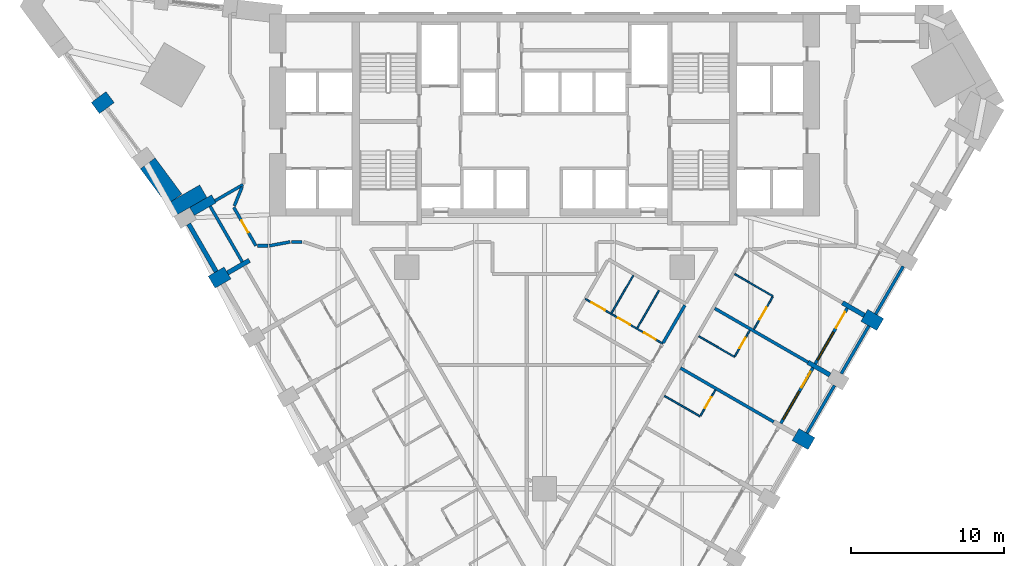
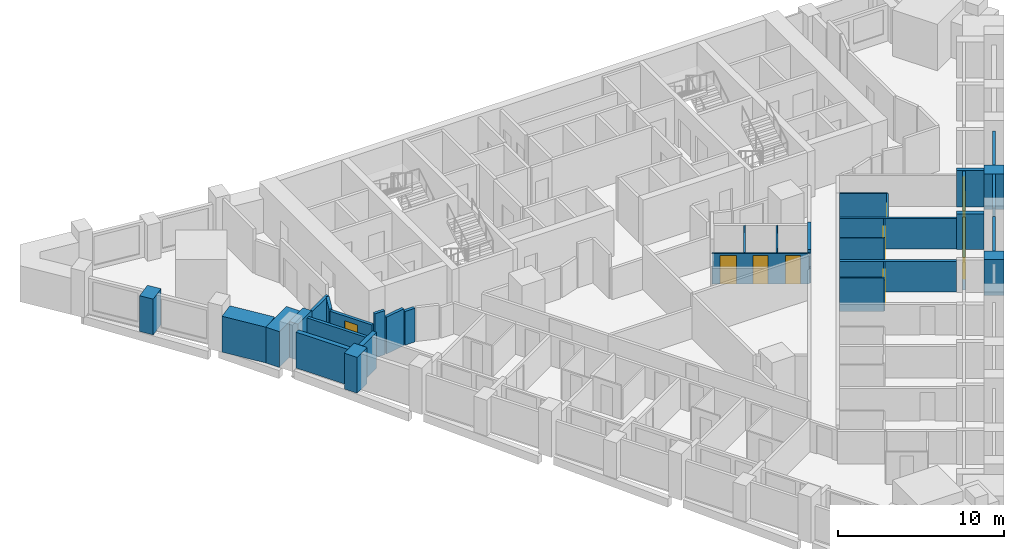
# One storey, part 6 of 12: 35 walls, 9 doors, 2 windows, 11 openings.
"""IFC4 building model written with IfcOpenShell, lengths in metres."""

from ifc_helpers import new_model, si_unit, direction, frame, frame_2d, origin, place, context, subcontext, project, spatial, polyline, rectangle, outline, extrude, material, layer, layer_set, type_object, element, fill, save


model = new_model("IFC4")

# Units and contexts
model_context = context("Model", 3, precision=1e-05, world=origin(), true_north=direction((0.0, 1.0)))
body_context = subcontext(model_context, "Body", "Model", "MODEL_VIEW")
ifc_project = project(units=[si_unit("LENGTHUNIT", "METRE"), si_unit("AREAUNIT", "SQUARE_METRE"), si_unit("VOLUMEUNIT", "CUBIC_METRE"), si_unit("PLANEANGLEUNIT", "RADIAN"), si_unit("MASSUNIT", "GRAM", prefix="KILO")], contexts=[model_context])

# Site, building, storey
site_placement = place(None, origin())
site = spatial("IfcSite", under=ifc_project, at=site_placement, CompositionType="ELEMENT")
building_placement = place(site_placement, origin())
building = spatial("IfcBuilding", under=site, at=building_placement, Name="Calabash Gate Tower", CompositionType="ELEMENT")
storey_placement = place(building_placement, frame((0.0, 0.0, 76.60009765625)))
storey = spatial("IfcBuildingStorey", under=building, at=storey_placement, Name="L15", CompositionType="ELEMENT", Elevation=76.60009765625)

# Walls
ifc_material_1 = material(Name="Terracotta brick masonry, exposed face", Category="masonry")
ifc_layer_1 = layer(ifc_material_1, 2.5)
ifc_layer_set_1 = layer_set([ifc_layer_1], Name="Brick corner mass wall 2500")
wall_type_1 = type_object("IfcWallType", Name="Brick corner mass wall 2500", PredefinedType="SOLIDWALL", material=ifc_layer_set_1)
wall_1_placement = place(storey_placement, frame((-22.32666015625, 7.466064453125, 0.0), z_axis=(0.0, 0.0, 1.0), x_axis=(-0.866022959057, -0.500004234368, 0.0)))
element("IfcWall", 1, at=wall_1_placement, inside=storey, type_object=wall_type_1, Name="Brick corner pier S04 1", PredefinedType="SOLIDWALL", context=body_context, shape_type="SweptSolid", body=[
    extrude(rectangle(XDim=2.5, YDim=0.951904296875, at=frame_2d((1.25, 0.0))), origin(), (0.0, 0.0, 1.0), 2.6298828125),
])
ifc_material_2 = material(Name="Terracotta brick masonry, exposed face", Category="masonry")
ifc_layer_2 = layer(ifc_material_2, 1.199951171875)
ifc_layer_set_2 = layer_set([ifc_layer_2], Name="Brick end wall 1200")
wall_type_2 = type_object("IfcWallType", Name="Brick end wall 1200", PredefinedType="SOLIDWALL", material=ifc_layer_set_2)
for number, where, z_axis, x_axis, name in (
    (2, (-21.77880859375, 1.51708984375, 0.0), (0.0, 0.0, 1.0), (0.866094119867, 0.499880961361, 0.0), "Brick pier S04 SW0.1"),
    (3, (17.467041015625, -9.05126953125, 0.0), (0.0, 0.0, 1.0), (-0.865955154139, 0.50012165622, 0.0), "Brick pier S04 SE2.5"),
    (4, (20.927978515625, -0.656982421875, 0.0), (0.0, 0.0, 1.0), (0.865955154139, -0.50012165622, 0.0), "Brick pier S04 SE2.7"),
    (5, (-29.388427734375, 12.91015625, 0.0), (0.0, 0.0, 1.0), (0.803477891264, 0.595334593527, 0.0), "Brick pier S04 wedge7.1"),
):
    element("IfcWall", number, at=place(storey_placement, frame(where, z_axis=z_axis, x_axis=x_axis)), inside=storey, type_object=wall_type_2, Name=name, PredefinedType="SOLIDWALL", context=body_context, shape_type="SweptSolid", body=[
        extrude(rectangle(XDim=1.199951171875, YDim=0.89990234375, at=frame_2d((0.60009765625, 0.0))), origin(), (0.0, 0.0, 1.0), 2.6298828125),
    ])
wall_2_placement = place(storey_placement, origin())
element("IfcWall", 6, at=wall_2_placement, inside=storey, type_object=wall_type_2, Name="Brick end wall S04 3", PredefinedType="SOLIDWALL", context=body_context, shape_type="SweptSolid", body=[
    extrude(outline(polyline([(-23.72802734375, 7.285400390625), (-25.4775390625, 9.64697265625), (-25.47802734375, 9.646728515625), (-25.47802734375, 9.646484375), (-26.441650390625, 8.9326171875), (-24.712646484375, 6.5986328125), (-24.729736328125, 6.628173828125), (-24.2099609375, 6.92822265625), (-23.72802734375, 7.285400390625)])), origin(), (0.0, 0.0, 1.0), 2.6298828125),
])
ifc_material_3 = material(Name="Terracotta brick masonry, exposed face", Category="masonry")
ifc_layer_3 = layer(ifc_material_3, 0.300048828125)
ifc_layer_set_3 = layer_set([ifc_layer_3], Name="Brick infill panel wall 300")
wall_type_3 = type_object("IfcWallType", Name="Brick infill panel wall 300", PredefinedType="SOLIDWALL", material=ifc_layer_set_3)
wall_3_placement = place(storey_placement, frame((-23.2841796875, 5.324462890625, 0.0), z_axis=(0.0, 0.0, 1.0), x_axis=(0.500012057535, -0.866018442252, 0.0)))
element("IfcWall", 7, at=wall_3_placement, inside=storey, type_object=wall_type_3, Name="Brick panel S04 SW0.1", PredefinedType="SOLIDWALL", context=body_context, shape_type="SweptSolid", body=[
    extrude(rectangle(XDim=3.60009765625, YDim=0.300048828125, at=frame_2d((1.800048828125, 0.0))), origin(), (0.0, 0.0, 1.0), 2.6298828125),
])
ifc_material_4 = material(Name="Terracotta brick masonry, exposed face", Category="masonry")
ifc_layer_4 = layer(ifc_material_4, 0.300048828125)
ifc_layer_set_4 = layer_set([ifc_layer_4], Name="Brick loggia cheek wall 300")
wall_type_4 = type_object("IfcWallType", Name="Brick loggia cheek wall 300", PredefinedType="SOLIDWALL", material=ifc_layer_set_4)
wall_4_placement = place(storey_placement, frame((-21.635498046875, 6.968994140625, 0.0), z_axis=(0.0, 0.0, 1.0), x_axis=(-0.866040211805, -0.499974350878, 0.0)))
element("IfcWall", 8, at=wall_4_placement, inside=storey, type_object=wall_type_4, Name="Loggia cheek S04 SW0.0", PredefinedType="SOLIDWALL", context=body_context, shape_type="SweptSolid", body=[
    extrude(rectangle(XDim=1.64990234375, YDim=0.60009765625, at=frame_2d((0.824951171875, 0.0))), origin(), (0.0, 0.0, 1.0), 2.64990234375),
])
wall_5_placement = place(storey_placement, frame((-20.739501953125, 2.116943359375, 0.0), z_axis=(0.0, 0.0, 1.0), x_axis=(0.865976140824, 0.500085316245, 0.0)))
element("IfcWall", 9, at=wall_5_placement, inside=storey, type_object=wall_type_4, Name="Loggia cheek S04 SW0.1", PredefinedType="SOLIDWALL", context=body_context, shape_type="SweptSolid", body=[
    extrude(rectangle(XDim=1.650146484375, YDim=0.300048828125, at=frame_2d((0.8251953125, 0.0))), origin(), (0.0, 0.0, 1.0), 2.64990234375),
])
wall_6_placement = place(storey_placement, frame((18.677490234375, -4.553955078125, 0.0), z_axis=(0.0, 0.0, 1.0), x_axis=(-0.865966208357, 0.500102515474, 0.0)))
element("IfcWall", 10, at=wall_6_placement, inside=storey, type_object=wall_type_4, Name="Loggia cheek S04 SE2.6", PredefinedType="SOLIDWALL", context=body_context, shape_type="SweptSolid", body=[
    extrude(rectangle(XDim=1.649658203125, YDim=0.300048828125, at=frame_2d((0.82470703125, 0.0))), origin(), (0.0, 0.0, 1.0), 2.6279296875),
])
wall_7_placement = place(storey_placement, frame((19.4990234375, 0.16796875, 0.0), z_axis=(0.0, 0.0, 1.0), x_axis=(0.866040211805, -0.499974350878, 0.0)))
element("IfcWall", 11, at=wall_7_placement, inside=storey, type_object=wall_type_4, Name="Loggia cheek S04 SE2.7", PredefinedType="SOLIDWALL", context=body_context, shape_type="SweptSolid", body=[
    extrude(rectangle(XDim=1.64990234375, YDim=0.300048828125, at=frame_2d((0.824951171875, 0.0))), origin(), (0.0, 0.0, 1.0), 2.64990234375),
])

# Wall, opening, door
ifc_material_5 = material(Name="Gypsum board on steel studs, mineral wool", Category="steel")
ifc_layer_5 = layer(ifc_material_5, 0.10009765625)
ifc_layer_set_5 = layer_set([ifc_layer_5], Name="Partition 100 gypsum board")
wall_type_5 = type_object("IfcWallType", Name="Partition 100 gypsum board", PredefinedType="PARTITIONING", material=ifc_layer_set_5)
wall_8_placement = place(storey_placement, frame((10.206787109375, -7.2265625, 0.0), z_axis=(0.0, 0.0, 1.0), x_axis=(0.49995005938, 0.866054235095, 0.0)))
wall_8 = element("IfcWall", 12, at=wall_8_placement, inside=storey, type_object=wall_type_5, Name="Partition", PredefinedType="PARTITIONING", context=body_context, shape_type="SweptSolid", body=[
    extrude(rectangle(XDim=1.949951171875, YDim=0.10009765625, at=frame_2d((0.97509765625, 0.0))), origin(), (0.0, 0.0, 1.0), 2.24169921875),
])
opening_1_placement = place(wall_8_placement, frame((0.60009765625, 0.0, 0.0)))
opening_1 = element("IfcOpeningElement", 13, at=opening_1_placement, cuts=wall_8, Name="Opening 15-17-021", PredefinedType="OPENING", context=body_context, shape_type="SweptSolid", body=[
    extrude(rectangle(XDim=0.800048828125, YDim=2.10009765625, at=frame_2d((0.39990234375, 1.050048828125))), frame((0.0, 0.06005859375, 0.0), z_axis=(0.0, -1.0, 0.0), x_axis=(1.0, 0.0, 0.0)), (0.0, 0.0, 1.0), 0.1201171875),
])
ifc_material_6 = material(Name="Painted timber door", Category="wood")
door_type_1 = type_object("IfcDoorType", Name="GD5 En-suite door 800x2100", OperationType="NOTDEFINED", PredefinedType="DOOR", material=ifc_material_6)
door_1_placement = place(opening_1_placement, origin())
door_1 = element("IfcDoor", 14, at=door_1_placement, inside=storey, type_object=door_type_1, Name="En-suite door", OperationType="SINGLE_SWING_RIGHT", OverallHeight=2.10009765625, OverallWidth=0.800048828125, PredefinedType="DOOR", context=body_context, shape_type="SweptSolid", body=[
    extrude(rectangle(XDim=0.800048828125, YDim=2.10009765625, at=frame_2d((0.39990234375, 1.050048828125))), frame((0.0, 0.02490234375, 0.0), z_axis=(0.0, -1.0, 0.0), x_axis=(1.0, 0.0, 0.0)), (0.0, 0.0, 1.0), 0.050048828125),
])
fill(opening_1, door_1)

# Wall
wall_9_placement = place(storey_placement, frame((7.844482421875, -5.91845703125, 0.0), z_axis=(0.0, 0.0, 1.0), x_axis=(0.865671764241, -0.500612022024, 0.0)))
element("IfcWall", 15, at=wall_9_placement, inside=storey, type_object=wall_type_5, Name="Partition", PredefinedType="PARTITIONING", context=body_context, shape_type="SweptSolid", body=[
    extrude(rectangle(XDim=2.69970703125, YDim=0.10009765625, at=frame_2d((1.349853515625, 0.0))), origin(), (0.0, 0.0, 1.0), 2.473388671875),
])

# Wall, opening, door
wall_10_placement = place(storey_placement, frame((12.456787109375, -3.32958984375, 0.0), z_axis=(0.0, 0.0, 1.0), x_axis=(0.49989585183, 0.866085525409, 0.0)))
wall_10 = element("IfcWall", 16, at=wall_10_placement, inside=storey, type_object=wall_type_5, Name="Partition", PredefinedType="PARTITIONING", context=body_context, shape_type="SweptSolid", body=[
    extrude(rectangle(XDim=1.9501953125, YDim=0.10009765625, at=frame_2d((0.97509765625, 0.0))), origin(), (0.0, 0.0, 1.0), 2.24169921875),
])
opening_2_placement = place(wall_10_placement, frame((0.60009765625, 0.0, 0.0)))
opening_2 = element("IfcOpeningElement", 17, at=opening_2_placement, cuts=wall_10, Name="Opening 15-17-024", PredefinedType="OPENING", context=body_context, shape_type="SweptSolid", body=[
    extrude(rectangle(XDim=0.800048828125, YDim=2.10009765625, at=frame_2d((0.39990234375, 1.050048828125))), frame((0.0, 0.06005859375, 0.0), z_axis=(0.0, -1.0, 0.0), x_axis=(1.0, 0.0, 0.0)), (0.0, 0.0, 1.0), 0.1201171875),
])
door_2_placement = place(opening_2_placement, origin())
door_2 = element("IfcDoor", 18, at=door_2_placement, inside=storey, type_object=door_type_1, Name="En-suite door", OperationType="SINGLE_SWING_RIGHT", OverallHeight=2.10009765625, OverallWidth=0.800048828125, PredefinedType="DOOR", context=body_context, shape_type="SweptSolid", body=[
    extrude(rectangle(XDim=0.800048828125, YDim=2.10009765625, at=frame_2d((0.39990234375, 1.050048828125))), frame((0.0, 0.02490234375, 0.0), z_axis=(0.0, -1.0, 0.0), x_axis=(1.0, 0.0, 0.0)), (0.0, 0.0, 1.0), 0.050048828125),
])
fill(opening_2, door_2)

# Wall
wall_11_placement = place(storey_placement, frame((10.094482421875, -2.021484375, 0.0), z_axis=(0.0, 0.0, 1.0), x_axis=(0.86571095196, -0.500544251447, 0.0)))
element("IfcWall", 19, at=wall_11_placement, inside=storey, type_object=wall_type_5, Name="Partition", PredefinedType="PARTITIONING", context=body_context, shape_type="SweptSolid", body=[
    extrude(rectangle(XDim=2.69970703125, YDim=0.10009765625, at=frame_2d((1.349853515625, 0.0))), origin(), (0.0, 0.0, 1.0), 2.24169921875),
])

# Wall, opening, door
wall_12_placement = place(storey_placement, frame((13.70361328125, -1.56640625, 0.0), z_axis=(0.0, 0.0, 1.0), x_axis=(0.500607988505, 0.865674096785, 0.0)))
wall_12 = element("IfcWall", 20, at=wall_12_placement, inside=storey, type_object=wall_type_5, Name="Partition", PredefinedType="PARTITIONING", context=body_context, shape_type="SweptSolid", body=[
    extrude(rectangle(XDim=2.44970703125, YDim=0.10009765625, at=frame_2d((1.224853515625, 0.0))), origin(), (0.0, 0.0, 1.0), 2.24169921875),
])
opening_3_placement = place(wall_12_placement, frame((0.749755859375, 0.0, 0.0)))
opening_3 = element("IfcOpeningElement", 21, at=opening_3_placement, cuts=wall_12, Name="Opening 15-17-026", PredefinedType="OPENING", context=body_context, shape_type="SweptSolid", body=[
    extrude(rectangle(XDim=0.89990234375, YDim=2.10009765625, at=frame_2d((0.449951171875, 1.050048828125))), frame((0.0, 0.06005859375, 0.0), z_axis=(0.0, -1.0, 0.0), x_axis=(1.0, 0.0, 0.0)), (0.0, 0.0, 1.0), 0.1201171875),
])
ifc_material_7 = material(Name="Painted timber door", Category="wood")
door_type_2 = type_object("IfcDoorType", Name="GD6 Accessible en-suite door 900x2100", OperationType="NOTDEFINED", PredefinedType="DOOR", material=ifc_material_7)
door_3_placement = place(opening_3_placement, origin())
door_3 = element("IfcDoor", 22, at=door_3_placement, inside=storey, type_object=door_type_2, Name="Accessible en-suite door", OperationType="SINGLE_SWING_RIGHT", OverallHeight=2.10009765625, OverallWidth=0.89990234375, PredefinedType="DOOR", context=body_context, shape_type="SweptSolid", body=[
    extrude(rectangle(XDim=0.89990234375, YDim=2.10009765625, at=frame_2d((0.449951171875, 1.050048828125))), frame((0.0, 0.02490234375, 0.0), z_axis=(0.0, -1.0, 0.0), x_axis=(1.0, 0.0, 0.0)), (0.0, 0.0, 1.0), 0.050048828125),
])
fill(opening_3, door_3)

# Walls
for number, where, z_axis, x_axis, name in (
    (23, (6.071044921875, -1.48583984375, 0.0), (0.0, 0.0, 1.0), (0.500536077286, 0.865715678115, 0.0), "Partition"),
    (24, (4.38232421875, -0.5107421875, 0.0), (0.0, 0.0, 1.0), (0.500536077286, 0.865715678115, 0.0), "Partition"),
):
    element("IfcWall", number, at=place(storey_placement, frame(where, z_axis=z_axis, x_axis=x_axis)), inside=storey, type_object=wall_type_5, Name=name, PredefinedType="PARTITIONING", context=body_context, shape_type="SweptSolid", body=[
        extrude(rectangle(XDim=2.847900390625, YDim=0.10009765625, at=frame_2d((1.423828125, 0.0))), origin(), (0.0, 0.0, 1.0), 2.24169921875),
    ])

# Wall, openings, doors
wall_13_placement = place(storey_placement, frame((2.67041015625, 0.419921875, 0.0), z_axis=(0.0, 0.0, 1.0), x_axis=(0.866025730634, -0.499999433879, 0.0)))
wall_13 = element("IfcWall", 25, at=wall_13_placement, inside=storey, type_object=wall_type_5, Name="Partition", PredefinedType="PARTITIONING", context=body_context, shape_type="SweptSolid", body=[
    extrude(rectangle(XDim=5.849609375, YDim=0.10009765625, at=frame_2d((2.9248046875, 0.0))), origin(), (0.0, 0.0, 1.0), 2.24169921875),
])
opening_4_placement = place(wall_13_placement, frame((4.4248046875, 0.0, 0.0)))
opening_4 = element("IfcOpeningElement", 26, at=opening_4_placement, cuts=wall_13, Name="Opening 15-17-033", PredefinedType="OPENING", context=body_context, shape_type="SweptSolid", body=[
    extrude(rectangle(XDim=0.89990234375, YDim=2.10009765625, at=frame_2d((0.449951171875, 1.050048828125))), frame((0.0, 0.06005859375, 0.0), z_axis=(0.0, -1.0, 0.0), x_axis=(1.0, 0.0, 0.0)), (0.0, 0.0, 1.0), 0.1201171875),
])
opening_5_placement = place(wall_13_placement, frame((2.474853515625, 0.0, 0.0)))
opening_5 = element("IfcOpeningElement", 27, at=opening_5_placement, cuts=wall_13, Name="Opening 15-17-034", PredefinedType="OPENING", context=body_context, shape_type="SweptSolid", body=[
    extrude(rectangle(XDim=0.89990234375, YDim=2.10009765625, at=frame_2d((0.449951171875, 1.050048828125))), frame((0.0, 0.06005859375, 0.0), z_axis=(0.0, -1.0, 0.0), x_axis=(1.0, 0.0, 0.0)), (0.0, 0.0, 1.0), 0.1201171875),
])
opening_6_placement = place(wall_13_placement, frame((0.474853515625, 0.0, 0.0)))
opening_6 = element("IfcOpeningElement", 28, at=opening_6_placement, cuts=wall_13, Name="Opening 15-17-035", PredefinedType="OPENING", context=body_context, shape_type="SweptSolid", body=[
    extrude(rectangle(XDim=1.0, YDim=2.10009765625, at=frame_2d((0.5, 1.050048828125))), frame((0.0, 0.06005859375, 0.0), z_axis=(0.0, -1.0, 0.0), x_axis=(1.0, 0.0, 0.0)), (0.0, 0.0, 1.0), 0.1201171875),
])
ifc_material_8 = material(Name="Painted timber door", Category="wood")
door_type_3 = type_object("IfcDoorType", Name="WD1 WC door 900x2100", OperationType="NOTDEFINED", PredefinedType="DOOR", material=ifc_material_8)
door_4_placement = place(opening_4_placement, origin())
door_4 = element("IfcDoor", 29, at=door_4_placement, inside=storey, type_object=door_type_3, Name="WC door", OperationType="SINGLE_SWING_RIGHT", OverallHeight=2.10009765625, OverallWidth=0.89990234375, PredefinedType="DOOR", context=body_context, shape_type="SweptSolid", body=[
    extrude(rectangle(XDim=0.89990234375, YDim=2.10009765625, at=frame_2d((0.449951171875, 1.050048828125))), frame((0.0, 0.02490234375, 0.0), z_axis=(0.0, -1.0, 0.0), x_axis=(1.0, 0.0, 0.0)), (0.0, 0.0, 1.0), 0.050048828125),
])
fill(opening_4, door_4)
door_5_placement = place(opening_5_placement, origin())
door_5 = element("IfcDoor", 30, at=door_5_placement, inside=storey, type_object=door_type_3, Name="WC door", OperationType="SINGLE_SWING_LEFT", OverallHeight=2.10009765625, OverallWidth=0.89990234375, PredefinedType="DOOR", context=body_context, shape_type="SweptSolid", body=[
    extrude(rectangle(XDim=0.89990234375, YDim=2.10009765625, at=frame_2d((0.449951171875, 1.050048828125))), frame((0.0, 0.02490234375, 0.0), z_axis=(0.0, -1.0, 0.0), x_axis=(1.0, 0.0, 0.0)), (0.0, 0.0, 1.0), 0.050048828125),
])
fill(opening_5, door_5)
ifc_material_9 = material(Name="Painted timber door", Category="wood")
door_type_4 = type_object("IfcDoorType", Name="WD2 Accessible WC door 1000x2100", OperationType="NOTDEFINED", PredefinedType="DOOR", material=ifc_material_9)
door_6_placement = place(opening_6_placement, origin())
door_6 = element("IfcDoor", 31, at=door_6_placement, inside=storey, type_object=door_type_4, Name="Accessible WC door", OperationType="SINGLE_SWING_LEFT", OverallHeight=2.10009765625, OverallWidth=1.0, PredefinedType="DOOR", context=body_context, shape_type="SweptSolid", body=[
    extrude(rectangle(XDim=1.0, YDim=2.10009765625, at=frame_2d((0.5, 1.050048828125))), frame((0.0, 0.02490234375, 0.0), z_axis=(0.0, -1.0, 0.0), x_axis=(1.0, 0.0, 0.0)), (0.0, 0.0, 1.0), 0.050048828125),
])
fill(opening_6, door_6)

# Walls
wall_14_placement = place(storey_placement, frame((12.44287109375, 2.0458984375, 0.0), z_axis=(0.0, 0.0, 1.0), x_axis=(0.866329932158, -0.499472170042, 0.0)))
element("IfcWall", 32, at=wall_14_placement, inside=storey, type_object=wall_type_5, Name="Partition", PredefinedType="PARTITIONING", context=body_context, shape_type="SweptSolid", body=[
    extrude(rectangle(XDim=2.899658203125, YDim=0.10009765625, at=frame_2d((1.44970703125, 0.0))), origin(), (0.0, 0.0, 1.0), 2.24169921875),
])
ifc_material_10 = material(Name="Gypsum board on steel studs, mineral wool", Category="steel")
ifc_layer_6 = layer(ifc_material_10, 0.199951171875)
ifc_layer_set_6 = layer_set([ifc_layer_6], Name="Partition 200 gypsum board EI 60")
wall_type_6 = type_object("IfcWallType", Name="Partition 200 gypsum board EI 60", PredefinedType="PARTITIONING", material=ifc_layer_set_6)
wall_15_placement = place(storey_placement, frame((8.89453125, -4.099609375, 0.0), z_axis=(0.0, 0.0, 1.0), x_axis=(0.865906406618, -0.500206052519, 0.0)))
element("IfcWall", 33, at=wall_15_placement, inside=storey, type_object=wall_type_6, Name="Partition", PredefinedType="PARTITIONING", context=body_context, shape_type="SweptSolid", body=[
    extrude(rectangle(XDim=7.0498046875, YDim=0.199951171875, at=frame_2d((3.52490234375, 0.0))), origin(), (0.0, 0.0, 1.0), 2.24169921875),
])
wall_16_placement = place(storey_placement, frame((7.7587890625, -2.46240234375, 0.0), z_axis=(0.0, 0.0, 1.0), x_axis=(0.500533044877, 0.865717431375, 0.0)))
element("IfcWall", 34, at=wall_16_placement, inside=storey, type_object=wall_type_6, Name="Partition", PredefinedType="PARTITIONING", context=body_context, shape_type="SweptSolid", body=[
    extrude(rectangle(XDim=2.85009765625, YDim=0.199951171875, at=frame_2d((1.425048828125, 0.0))), origin(), (0.0, 0.0, 1.0), 2.473388671875),
])
wall_17_placement = place(storey_placement, frame((11.14453125, -0.202392578125, 0.0), z_axis=(0.0, 0.0, 1.0), x_axis=(0.866031034943, -0.499990246421, 0.0)))
element("IfcWall", 35, at=wall_17_placement, inside=storey, type_object=wall_type_6, Name="Partition", PredefinedType="PARTITIONING", context=body_context, shape_type="SweptSolid", body=[
    extrude(rectangle(XDim=7.050048828125, YDim=0.199951171875, at=frame_2d((3.52490234375, 0.0))), origin(), (0.0, 0.0, 1.0), 2.24169921875),
])

# Wall, opening, door
wall_18_placement = place(storey_placement, frame((-20.333984375, 6.4140625, 0.0), z_axis=(0.0, 0.0, 1.0), x_axis=(0.499991774685, -0.86603015262, 0.0)))
wall_18 = element("IfcWall", 36, at=wall_18_placement, inside=storey, type_object=wall_type_6, Name="Partition", PredefinedType="PARTITIONING", context=body_context, shape_type="SweptSolid", body=[
    extrude(rectangle(XDim=2.9033203125, YDim=0.199951171875, at=frame_2d((1.45166015625, 0.0))), origin(), (0.0, 0.0, 1.0), 2.449951171875),
])
opening_7_placement = place(wall_18_placement, frame((1.001708984375, 0.0, 0.0)))
opening_7 = element("IfcOpeningElement", 37, at=opening_7_placement, cuts=wall_18, Name="Opening 15-17-039", PredefinedType="OPENING", context=body_context, shape_type="SweptSolid", body=[
    extrude(rectangle(XDim=0.89990234375, YDim=2.10009765625, at=frame_2d((0.449951171875, 1.050048828125))), frame((0.0, 0.10986328125, 0.0), z_axis=(0.0, -1.0, 0.0), x_axis=(1.0, 0.0, 0.0)), (0.0, 0.0, 1.0), 0.219970703125),
])
ifc_material_11 = material(Name="Steel fire door set with fire-resisting glazing", Category="steel")
door_type_5 = type_object("IfcDoorType", Name="SD3 Store door 900x2100", OperationType="NOTDEFINED", PredefinedType="DOOR", material=ifc_material_11)
door_7_placement = place(opening_7_placement, origin())
door_7 = element("IfcDoor", 38, at=door_7_placement, inside=storey, type_object=door_type_5, Name="Store door", OperationType="SINGLE_SWING_RIGHT", OverallHeight=2.10009765625, OverallWidth=0.89990234375, PredefinedType="DOOR", context=body_context, shape_type="SweptSolid", body=[
    extrude(rectangle(XDim=0.89990234375, YDim=2.10009765625, at=frame_2d((0.449951171875, 1.050048828125))), frame((0.0, 0.02490234375, 0.0), z_axis=(0.0, -1.0, 0.0), x_axis=(1.0, 0.0, 0.0)), (0.0, 0.0, 1.0), 0.050048828125),
])
fill(opening_7, door_7)

# Walls
wall_19_placement = place(storey_placement, frame((-18.782470703125, 3.8994140625, 0.0), z_axis=(0.0, 0.0, 1.0), x_axis=(1.0, 0.0, 0.0)))
element("IfcWall", 39, at=wall_19_placement, inside=storey, type_object=wall_type_6, Name="Partition", PredefinedType="PARTITIONING", context=body_context, shape_type="SweptSolid", body=[
    extrude(rectangle(XDim=0.682373046875, YDim=0.199951171875, at=frame_2d((0.34130859375, 0.0))), origin(), (0.0, 0.0, 1.0), 3.22998046875),
])
wall_20_placement = place(storey_placement, frame((-18.0, 3.8994140625, 0.0), z_axis=(0.0, 0.0, 1.0), x_axis=(0.983117478865, 0.182975470352, 0.0)))
element("IfcWall", 40, at=wall_20_placement, inside=storey, type_object=wall_type_6, Name="Partition", PredefinedType="PARTITIONING", context=body_context, shape_type="SweptSolid", body=[
    extrude(rectangle(XDim=1.380859375, YDim=0.199951171875, at=frame_2d((0.6904296875, 0.0))), origin(), (0.0, 0.0, 1.0), 2.70166015625),
])
wall_21_placement = place(storey_placement, frame((-16.542236328125, 4.152099609375, 0.0), z_axis=(0.0, 0.0, 1.0), x_axis=(1.0, 0.0, 0.0)))
element("IfcWall", 41, at=wall_21_placement, inside=storey, type_object=wall_type_6, Name="Partition", PredefinedType="PARTITIONING", context=body_context, shape_type="SweptSolid", body=[
    extrude(rectangle(XDim=0.684326171875, YDim=0.199951171875, at=frame_2d((0.34228515625, 0.0))), origin(), (0.0, 0.0, 1.0), 2.473388671875),
])
wall_22_placement = place(storey_placement, frame((-20.296142578125, 6.506591796875, 0.0), z_axis=(0.0, 0.0, 1.0), x_axis=(0.379924425103, 0.925017530218, 0.0)))
element("IfcWall", 42, at=wall_22_placement, inside=storey, type_object=wall_type_6, Name="Partition", PredefinedType="PARTITIONING", context=body_context, shape_type="SweptSolid", body=[
    extrude(rectangle(XDim=1.339111328125, YDim=0.199951171875, at=frame_2d((0.66943359375, 0.0))), origin(), (0.0, 0.0, 1.0), 2.473388671875),
])
wall_23_placement = place(storey_placement, frame((-21.560546875, 6.839111328125, 0.0), z_axis=(0.0, 0.0, 1.0), x_axis=(0.866480611472, 0.499210726992, 0.0)))
element("IfcWall", 43, at=wall_23_placement, inside=storey, type_object=wall_type_6, Name="Partition", PredefinedType="PARTITIONING", context=body_context, shape_type="SweptSolid", body=[
    extrude(rectangle(XDim=2.12060546875, YDim=0.199951171875, at=frame_2d((1.060302734375, 0.0))), origin(), (0.0, 0.0, 1.0), 2.473388671875),
])
ifc_material_12 = material(Name="Terracotta brick masonry, perforated", Category="masonry")
ifc_layer_7 = layer(ifc_material_12, 0.199951171875)
ifc_layer_set_7 = layer_set([ifc_layer_7], Name="Terracotta jaali screen B")
wall_type_7 = type_object("IfcWallType", Name="Terracotta jaali screen B", PredefinedType="SOLIDWALL", material=ifc_layer_set_7)
for number, where, z_axis, x_axis, name in (
    (44, (17.17236328125, -8.361572265625, 0.0), (0.0, 0.0, 1.0), (0.500012057535, 0.866018442252, 0.0), "SCREEN B S04 SE2.6"),
    (45, (19.42236328125, -4.46435546875, 0.0), (0.0, 0.0, 1.0), (0.500012057535, 0.866018442252, 0.0), "SCREEN B S04 SE2.7"),
):
    element("IfcWall", number, at=place(storey_placement, frame(where, z_axis=z_axis, x_axis=x_axis)), inside=storey, type_object=wall_type_7, Name=name, PredefinedType="SOLIDWALL", context=body_context, shape_type="SweptSolid", body=[
        extrude(rectangle(XDim=3.60009765625, YDim=0.199951171875, at=frame_2d((1.800048828125, 0.0))), origin(), (0.0, 0.0, 1.0), 2.6298828125),
    ])
wall_24_placement = place(storey_placement, frame((21.67236328125, -0.5673828125, 0.0), z_axis=(0.0, 0.0, 1.0), x_axis=(0.499982693035, 0.866035395735, 0.0)))
element("IfcWall", 46, at=wall_24_placement, inside=storey, type_object=wall_type_7, Name="SCREEN B S04 SE2.8", PredefinedType="SOLIDWALL", context=body_context, shape_type="SweptSolid", body=[
    extrude(rectangle(XDim=3.600341796875, YDim=0.199951171875, at=frame_2d((1.80029296875, 0.0))), origin(), (0.0, 0.0, 1.0), 2.6298828125),
])
ifc_material_13 = material(Name="Aluminium framed window wall with insulated spandrel", Category="aluminium")
ifc_layer_8 = layer(ifc_material_13, 0.199951171875)
ifc_layer_set_8 = layer_set([ifc_layer_8], Name="Window wall 200")
wall_type_8 = type_object("IfcWallType", Name="Window wall 200", PredefinedType="ELEMENTEDWALL", material=ifc_layer_set_8)
wall_25_placement = place(storey_placement, frame((-21.875244140625, 6.484130859375, 0.0), z_axis=(0.0, 0.0, 1.0), x_axis=(0.49998411664, -0.866034573852, 0.0)))
element("IfcWall", 47, at=wall_25_placement, inside=storey, type_object=wall_type_8, Name="Window wall S04 SW0.1", PredefinedType="ELEMENTEDWALL", context=body_context, shape_type="SweptSolid", body=[
    extrude(rectangle(XDim=4.199951171875, YDim=0.199951171875, at=frame_2d((2.10009765625, 0.0))), origin(), (0.0, 0.0, 1.0), 2.449951171875),
])

# Wall, openings, door, window
wall_26_placement = place(storey_placement, frame((15.463623046875, -7.72119140625, 0.0), z_axis=(0.0, 0.0, 1.0), x_axis=(0.500027713859, 0.866009402589, 0.0)))
wall_26 = element("IfcWall", 48, at=wall_26_placement, inside=storey, type_object=wall_type_8, Name="Window wall S04 SE2.6", PredefinedType="ELEMENTEDWALL", context=body_context, shape_type="SweptSolid", body=[
    extrude(rectangle(XDim=4.199951171875, YDim=0.199951171875, at=frame_2d((2.10009765625, 0.0))), origin(), (0.0, 0.0, 1.0), 2.384033203125),
])
opening_8_placement = place(wall_26_placement, frame((0.300048828125, 0.0, 0.60009765625)))
opening_8 = element("IfcOpeningElement", 49, at=opening_8_placement, cuts=wall_26, Name="Opening HW1L-1680", PredefinedType="OPENING", context=body_context, shape_type="SweptSolid", body=[
    extrude(rectangle(XDim=2.10009765625, YDim=1.679931640625, at=frame_2d((1.050048828125, 0.83984375))), frame((0.0, 0.10986328125, 0.0), z_axis=(0.0, -1.0, 0.0), x_axis=(1.0, 0.0, 0.0)), (0.0, 0.0, 1.0), 0.219970703125),
])
opening_9_placement = place(wall_26_placement, frame((2.699951171875, 0.0, 0.0)))
opening_9 = element("IfcOpeningElement", 50, at=opening_9_placement, cuts=wall_26, Name="Opening H4-023", PredefinedType="OPENING", context=body_context, shape_type="SweptSolid", body=[
    extrude(rectangle(XDim=1.199951171875, YDim=2.280029296875, at=frame_2d((0.60009765625, 1.14013671875))), frame((0.0, 0.10986328125, 0.0), z_axis=(0.0, -1.0, 0.0), x_axis=(1.0, 0.0, 0.0)), (0.0, 0.0, 1.0), 0.219970703125),
])
ifc_material_14 = material(Name="Anodised aluminium frame, bronze finish, impact-rated laminated clear glazing", Category="aluminium")
door_type_6 = type_object("IfcDoorType", Name="Loggia door DH1L-2280 1200x2280", OperationType="SLIDING_TO_LEFT", PredefinedType="DOOR", material=ifc_material_14)
door_8_placement = place(opening_9_placement, origin())
door_8 = element("IfcDoor", 51, at=door_8_placement, inside=storey, type_object=door_type_6, Name="Loggia door S04 SE2.6", OperationType="SINGLE_SWING_LEFT", OverallHeight=2.280029296875, OverallWidth=1.199951171875, PredefinedType="DOOR", context=body_context, shape_type="SweptSolid", body=[
    extrude(rectangle(XDim=1.199951171875, YDim=2.280029296875, at=frame_2d((0.60009765625, 1.14013671875))), frame((0.0, 0.02490234375, 0.0), z_axis=(0.0, -1.0, 0.0), x_axis=(1.0, 0.0, 0.0)), (0.0, 0.0, 1.0), 0.050048828125),
])
fill(opening_9, door_8)
ifc_material_15 = material(Name="Anodised aluminium frame, bronze finish, impact-rated laminated clear glazing", Category="aluminium")
window_type_1 = type_object("IfcWindowType", Name="Window HW1L 2100x1680", PartitioningType="DOUBLE_PANEL_VERTICAL", PredefinedType="WINDOW", material=ifc_material_15)
window_1_placement = place(opening_8_placement, origin())
window_1 = element("IfcWindow", 52, at=window_1_placement, inside=storey, type_object=window_type_1, Name="Window HW1 S04 SE2.6", OverallHeight=1.679931640625, OverallWidth=2.10009765625, PartitioningType="SINGLE_PANEL", PredefinedType="WINDOW", context=body_context, shape_type="SweptSolid", body=[
    extrude(rectangle(XDim=2.10009765625, YDim=1.679931640625, at=frame_2d((1.050048828125, 0.83984375))), frame((0.0, 0.030029296875, 0.0), z_axis=(0.0, -1.0, 0.0), x_axis=(1.0, 0.0, 0.0)), (0.0, 0.0, 1.0), 0.06005859375),
])
fill(opening_8, window_1)

wall_27_placement = place(storey_placement, frame((17.713623046875, -3.82421875, 0.0), z_axis=(0.0, 0.0, 1.0), x_axis=(0.500027713859, 0.866009402589, 0.0)))
wall_27 = element("IfcWall", 53, at=wall_27_placement, inside=storey, type_object=wall_type_8, Name="Window wall S04 SE2.7", PredefinedType="ELEMENTEDWALL", context=body_context, shape_type="SweptSolid", body=[
    extrude(rectangle(XDim=4.199951171875, YDim=0.199951171875, at=frame_2d((2.10009765625, 0.0))), origin(), (0.0, 0.0, 1.0), 2.6279296875),
])
opening_10_placement = place(wall_27_placement, frame((0.300048828125, 0.0, 0.60009765625)))
opening_10 = element("IfcOpeningElement", 54, at=opening_10_placement, cuts=wall_27, Name="Opening HW1", PredefinedType="OPENING", context=body_context, shape_type="SweptSolid", body=[
    extrude(rectangle(XDim=2.10009765625, YDim=1.800048828125, at=frame_2d((1.050048828125, 0.89990234375))), frame((0.0, 0.10986328125, 0.0), z_axis=(0.0, -1.0, 0.0), x_axis=(1.0, 0.0, 0.0)), (0.0, 0.0, 1.0), 0.219970703125),
])
opening_11_placement = place(wall_27_placement, frame((2.699951171875, 0.0, 0.0)))
opening_11 = element("IfcOpeningElement", 55, at=opening_11_placement, cuts=wall_27, Name="Opening H4-024", PredefinedType="OPENING", context=body_context, shape_type="SweptSolid", body=[
    extrude(rectangle(XDim=1.199951171875, YDim=2.39990234375, at=frame_2d((0.60009765625, 1.199951171875))), frame((0.0, 0.10986328125, 0.0), z_axis=(0.0, -1.0, 0.0), x_axis=(1.0, 0.0, 0.0)), (0.0, 0.0, 1.0), 0.219970703125),
])
ifc_material_16 = material(Name="Anodised aluminium frame, bronze finish, impact-rated laminated clear glazing", Category="aluminium")
door_type_7 = type_object("IfcDoorType", Name="Loggia door DH1 1200x2400", OperationType="SLIDING_TO_LEFT", PredefinedType="DOOR", material=ifc_material_16)
door_9_placement = place(opening_11_placement, origin())
door_9 = element("IfcDoor", 56, at=door_9_placement, inside=storey, type_object=door_type_7, Name="Loggia door S04 SE2.7", OperationType="SINGLE_SWING_LEFT", OverallHeight=2.39990234375, OverallWidth=1.199951171875, PredefinedType="DOOR", context=body_context, shape_type="SweptSolid", body=[
    extrude(rectangle(XDim=1.199951171875, YDim=2.39990234375, at=frame_2d((0.60009765625, 1.199951171875))), frame((0.0, 0.02490234375, 0.0), z_axis=(0.0, -1.0, 0.0), x_axis=(1.0, 0.0, 0.0)), (0.0, 0.0, 1.0), 0.050048828125),
])
fill(opening_11, door_9)
ifc_material_17 = material(Name="Anodised aluminium frame, bronze finish, impact-rated laminated clear glazing", Category="aluminium")
window_type_2 = type_object("IfcWindowType", Name="Window HW1 2100x1800", PartitioningType="DOUBLE_PANEL_VERTICAL", PredefinedType="WINDOW", material=ifc_material_17)
window_2_placement = place(opening_10_placement, origin())
window_2 = element("IfcWindow", 57, at=window_2_placement, inside=storey, type_object=window_type_2, Name="Window HW1 S04 SE2.7", OverallHeight=1.800048828125, OverallWidth=2.10009765625, PartitioningType="SINGLE_PANEL", PredefinedType="WINDOW", context=body_context, shape_type="SweptSolid", body=[
    extrude(rectangle(XDim=2.10009765625, YDim=1.800048828125, at=frame_2d((1.050048828125, 0.89990234375))), frame((0.0, 0.030029296875, 0.0), z_axis=(0.0, -1.0, 0.0), x_axis=(1.0, 0.0, 0.0)), (0.0, 0.0, 1.0), 0.06005859375),
])
fill(opening_10, window_2)

save(model, "model.ifc")
